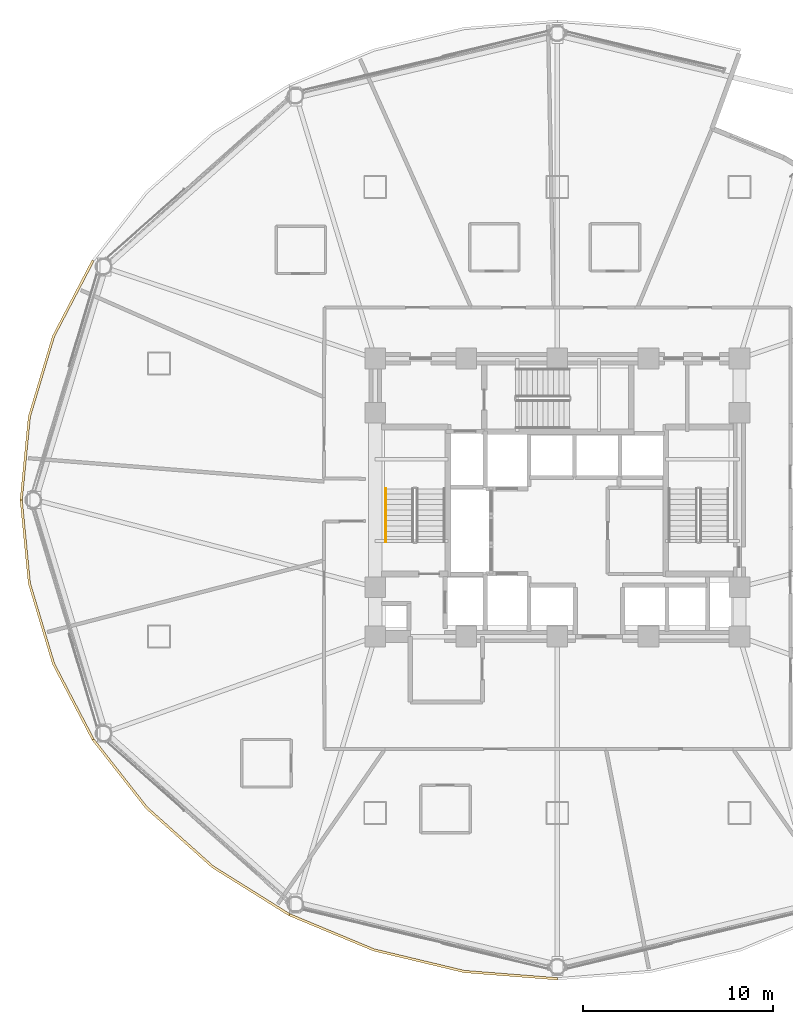
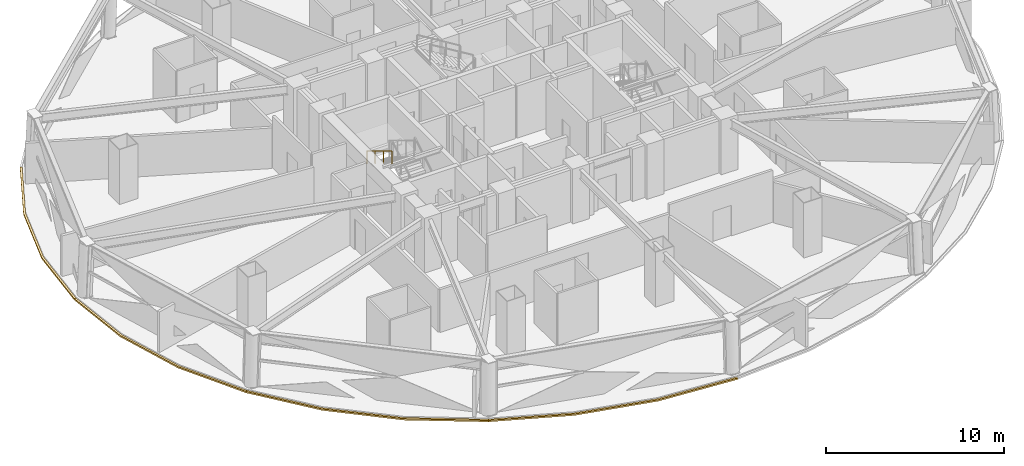
# One storey, part 12 of 16: 4 coverings, 1 railing.
"""IFC4 building model written with IfcOpenShell, lengths in metres."""

from ifc_helpers import new_model, si_unit, direction, frame, origin, origin_2d, place, context, subcontext, project, spatial, polyline, rectangle, outline, extrude, material, layer, layer_set, type_object, element, save


model = new_model("IFC4")

# Units and contexts
model_context = context("Model", 3, precision=1e-05, world=origin(), true_north=direction((0.0, 1.0)))
body_context = subcontext(model_context, "Body", "Model", "MODEL_VIEW")
ifc_project = project(units=[si_unit("LENGTHUNIT", "METRE"), si_unit("AREAUNIT", "SQUARE_METRE"), si_unit("VOLUMEUNIT", "CUBIC_METRE"), si_unit("PLANEANGLEUNIT", "RADIAN"), si_unit("MASSUNIT", "GRAM", prefix="KILO")], contexts=[model_context])

# Site, building, storey
site_placement = place(None, origin())
site = spatial("IfcSite", under=ifc_project, at=site_placement, CompositionType="ELEMENT")
building_placement = place(site_placement, origin())
building = spatial("IfcBuilding", under=site, at=building_placement, Name="Vantalir Tower", CompositionType="ELEMENT")
storey_placement = place(building_placement, frame((0.0, 0.0, 75.75)))
storey = spatial("IfcBuildingStorey", under=building, at=storey_placement, Name="L18", CompositionType="ELEMENT", Elevation=75.75)

# Coverings
ifc_material_1 = material(Name="Anodised champagne aluminium sill fascia", Category="aluminium")
ifc_layer = layer(ifc_material_1, 0.125)
ifc_layer_set = layer_set([ifc_layer], Name="Anodised champagne aluminium sill fascia")
covering_type = type_object("IfcCoveringType", Name="COV-SLAB-FASCIA-125", PredefinedType="CLADDING", material=ifc_layer_set)
covering_1_placement = place(storey_placement, frame((0.0, 0.0, -0.179931640625)))
element("IfcCovering", 1, at=covering_1_placement, inside=storey, type_object=covering_type, Name="L18 Perimeter Slab-Edge Sill Fascia 06", PredefinedType="CLADDING", context=body_context, shape_type="SweptSolid", body=[
    extrude(outline(polyline([(6.969970703125, 37.652099609375), (4.883056640625, 33.654052734375), (3.60498046875, 29.39404296875), (3.175048828125, 25.0), (3.300048828125, 25.0), (3.72802734375, 29.3720703125), (5.0009765625, 33.612060546875), (7.077880859375, 37.589111328125), (6.969970703125, 37.652099609375)])), origin(), (0.0, 0.0, 1.0), 0.10498046875),
])
covering_2_placement = place(storey_placement, frame((0.0, 0.0, -0.179931640625)))
element("IfcCovering", 2, at=covering_2_placement, inside=storey, type_object=covering_type, Name="L18 Perimeter Slab-Edge Sill Fascia 07", PredefinedType="CLADDING", context=body_context, shape_type="SweptSolid", body=[
    extrude(outline(polyline([(3.175048828125, 25.0), (3.60498046875, 20.60595703125), (4.883056640625, 16.345947265625), (6.969970703125, 12.347900390625), (7.077880859375, 12.409912109375), (5.0009765625, 16.387939453125), (3.72802734375, 20.6279296875), (3.300048828125, 25.0), (3.175048828125, 25.0)])), origin(), (0.0, 0.0, 1.0), 0.10498046875),
])
covering_3_placement = place(storey_placement, frame((0.0, 0.0, -0.179931640625)))
element("IfcCovering", 3, at=covering_3_placement, inside=storey, type_object=covering_type, Name="L18 Perimeter Slab-Edge Sill Fascia 08", PredefinedType="CLADDING", context=body_context, shape_type="SweptSolid", body=[
    extrude(outline(polyline([(6.969970703125, 12.347900390625), (9.802001953125, 8.735107421875), (13.29296875, 5.615966796875), (17.3369140625, 3.0859375), (17.39990234375, 3.194091796875), (13.373046875, 5.7119140625), (9.89794921875, 8.81494140625), (7.077880859375, 12.409912109375), (6.969970703125, 12.347900390625)])), origin(), (0.0, 0.0, 1.0), 0.10498046875),
])
covering_4_placement = place(storey_placement, frame((0.0, 0.0, -0.179931640625)))
element("IfcCovering", 4, at=covering_4_placement, inside=storey, type_object=covering_type, Name="L18 Perimeter Slab-Edge Sill Fascia 09", PredefinedType="CLADDING", context=body_context, shape_type="SweptSolid", body=[
    extrude(outline(polyline([(17.3369140625, 3.0859375), (21.81201171875, 1.221923828125), (26.5810546875, 0.080078125), (31.5, -0.303955078125), (31.5, -0.178955078125), (26.60302734375, 0.2041015625), (21.85498046875, 1.339111328125), (17.39990234375, 3.194091796875), (17.3369140625, 3.0859375)])), origin(), (0.0, 0.0, 1.0), 0.10498046875),
])

# Railing
ifc_material_2 = material(Name="Brushed stainless steel tubular handrail", Category="steel")
railing_type = type_object("IfcRailingType", Name="RAL-HANDRAIL-900", PredefinedType="HANDRAIL", material=ifc_material_2)
railing_placement = place(storey_placement, frame((22.449951171875, 25.590087890625, 2.04541015625)))
element("IfcRailing", 5, at=railing_placement, inside=storey, type_object=railing_type, Name="L18 ST1 stair handrail 2", PredefinedType="HANDRAIL", context=body_context, shape_type="SweptSolid", body=[
    extrude(rectangle(XDim=0.048095703125, YDim=0.048095703125, at=origin_2d()), frame((0.0, 0.0, 0.8759765625), z_axis=(0.0, -0.854169791009, 0.51999420009), x_axis=(1.0, 0.0, 0.0)), (0.0, 0.0, 1.0), 3.278076171875),
    extrude(rectangle(XDim=0.0419921875, YDim=0.0419921875, at=origin_2d()), origin(), (0.0, 0.0, 1.0), 0.851806640625),
    extrude(rectangle(XDim=0.0419921875, YDim=0.0419921875, at=origin_2d()), frame((0.0, -0.933349609375, 0.568115234375)), (0.0, 0.0, 1.0), 0.851806640625),
    extrude(rectangle(XDim=0.0419921875, YDim=0.0419921875, at=origin_2d()), frame((0.0, -1.86669921875, 1.136474609375)), (0.0, 0.0, 1.0), 0.851806640625),
    extrude(rectangle(XDim=0.0419921875, YDim=0.0419921875, at=origin_2d()), frame((0.0, -2.800048828125, 1.70458984375)), (0.0, 0.0, 1.0), 0.851806640625),
])

save(model, "model.ifc")
